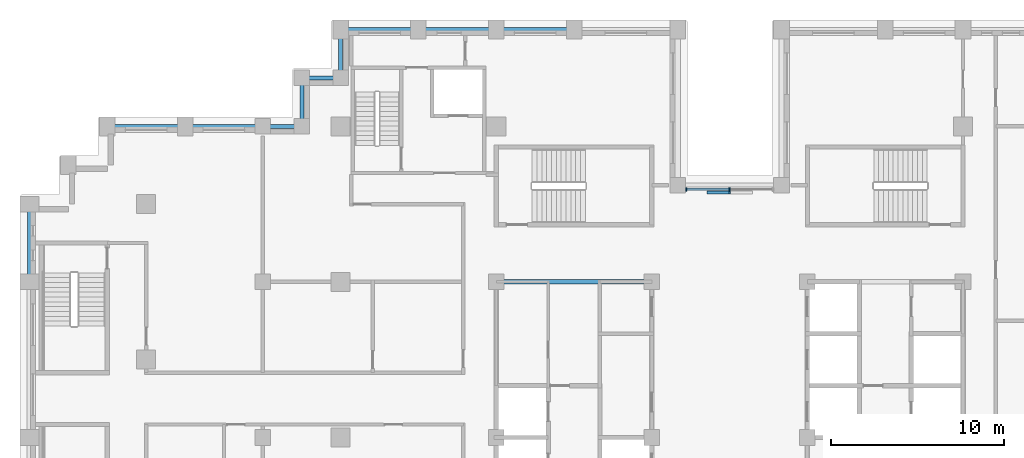
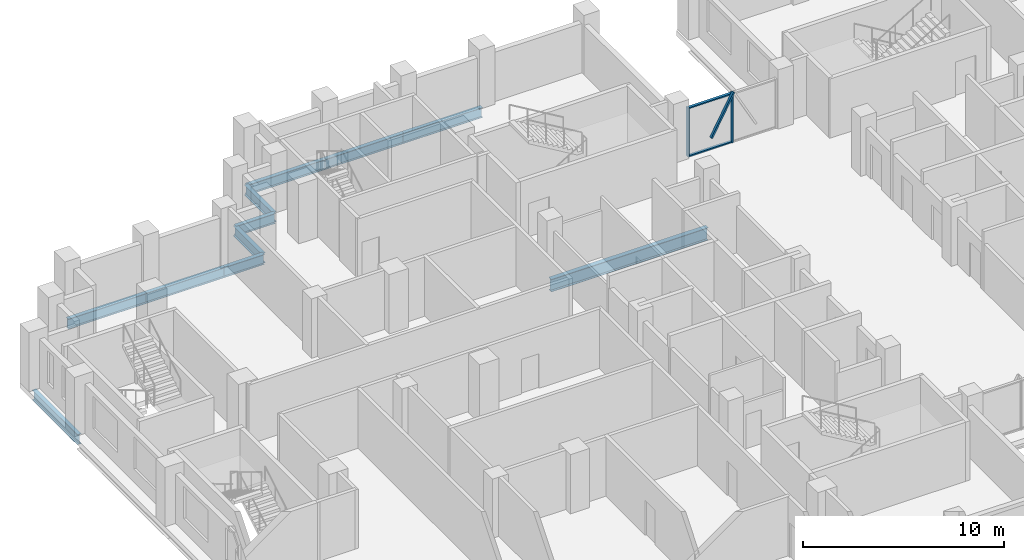
# One storey, part 3 of 16: 11 beams, 5 members, 1 element without a shape of its own.
"""IFC4 building model written with IfcOpenShell, lengths in metres."""

from ifc_helpers import new_model, si_unit, direction, frame, origin, origin_2d, place, context, subcontext, project, spatial, rectangle, i_section, extrude, material, layer, layer_set, material_profile, profile_set, type_object, element, aggregate, save


model = new_model("IFC4")

# Units and contexts
model_context = context("Model", 3, precision=1e-05, world=origin(), true_north=direction((0.0, 1.0)))
body_context = subcontext(model_context, "Body", "Model", "MODEL_VIEW")
ifc_project = project(units=[si_unit("LENGTHUNIT", "METRE"), si_unit("AREAUNIT", "SQUARE_METRE"), si_unit("VOLUMEUNIT", "CUBIC_METRE"), si_unit("PLANEANGLEUNIT", "RADIAN"), si_unit("MASSUNIT", "GRAM", prefix="KILO")], contexts=[model_context])

# Site, building, storey
site_placement = place(None, origin())
site = spatial("IfcSite", under=ifc_project, at=site_placement, CompositionType="ELEMENT")
building_placement = place(site_placement, origin())
building = spatial("IfcBuilding", under=site, at=building_placement, Name="Corbelhall Arena Tower", CompositionType="ELEMENT")
storey_placement = place(building_placement, frame((0.0, 0.0, 174.0)))
storey = spatial("IfcBuildingStorey", under=building, at=storey_placement, Name="L35", CompositionType="ELEMENT", Elevation=174.0)

# Curtain wall, members
ifc_material_1 = material(Name="Aluminium black anodised", Category="aluminium")
ifc_layer = layer(ifc_material_1, 0.199951171875)
ifc_layer_set = layer_set([ifc_layer], Name="EV-CW1 Slot back wall")
curtain_wall_type = type_object("IfcCurtainWallType", Name="EV-CW1 Slot back wall", PredefinedType="NOTDEFINED", material=ifc_layer_set)
curtain_wall_placement = place(storey_placement, origin())
curtain_wall = element("IfcCurtainWall", 1, at=curtain_wall_placement, inside=storey, type_object=curtain_wall_type, Name="Curtain wall CW1", PredefinedType="NOTDEFINED")
ifc_material_profile_1 = material_profile(ifc_material_1, rectangle(XDim=0.199951171875, YDim=0.074951171875, at=origin_2d()))
ifc_profile_set_1 = profile_set([ifc_material_profile_1], Name="Aluminium black anodised")
member_type_1 = type_object("IfcMemberType", Name="EV-CW1-MULLION", PredefinedType="MULLION", material=ifc_profile_set_1)
member_1_placement = place(storey_placement, frame((0.0, 14.35009765625, 0.0), z_axis=(0.0, 0.0, 1.0), x_axis=(0.0, -1.0, 0.0)))
member_1 = element("IfcMember", 2, at=member_1_placement, type_object=member_type_1, Name="CW1 mullion 2", PredefinedType="MULLION", context=body_context, shape_type="SweptSolid", body=[
    extrude(rectangle(XDim=0.199951171875, YDim=0.074951171875, at=origin_2d()), origin(), (0.0, 0.0, 1.0), 2.989990234375),
])
member_2_placement = place(storey_placement, frame((-2.512451171875, 14.35009765625, 0.0), z_axis=(0.0, 0.0, 1.0), x_axis=(0.0, -1.0, 0.0)))
member_2 = element("IfcMember", 3, at=member_2_placement, type_object=member_type_1, Name="CW1 mullion 3", PredefinedType="MULLION", context=body_context, shape_type="SweptSolid", body=[
    extrude(rectangle(XDim=0.199951171875, YDim=0.074951171875, at=origin_2d()), origin(), (0.0, 0.0, 1.0), 2.989990234375),
])
ifc_material_profile_2 = material_profile(ifc_material_1, rectangle(XDim=0.14990234375, YDim=0.074951171875, at=origin_2d()))
ifc_profile_set_2 = profile_set([ifc_material_profile_2], Name="Aluminium black anodised")
member_type_2 = type_object("IfcMemberType", Name="EV-CW1-TRANSOM", PredefinedType="USERDEFINED", material=ifc_profile_set_2)
member_3_placement = place(storey_placement, frame((-0.03759765625, 14.35009765625, 0.03759765625), z_axis=(-1.0, 0.0, 0.0), x_axis=(0.0, -1.0, 0.0)))
member_3 = element("IfcMember", 4, at=member_3_placement, type_object=member_type_2, Name="CW1 transom 2.1", ObjectType="transom", PredefinedType="USERDEFINED", context=body_context, shape_type="SweptSolid", body=[
    extrude(rectangle(XDim=0.14990234375, YDim=0.074951171875, at=origin_2d()), origin(), (0.0, 0.0, 1.0), 2.4375),
])
member_4_placement = place(storey_placement, frame((-0.03759765625, 14.35009765625, 2.952392578125), z_axis=(-1.0, 0.0, 0.0), x_axis=(0.0, -1.0, 0.0)))
member_4 = element("IfcMember", 5, at=member_4_placement, type_object=member_type_2, Name="CW1 transom 2.2", ObjectType="transom", PredefinedType="USERDEFINED", context=body_context, shape_type="SweptSolid", body=[
    extrude(rectangle(XDim=0.14990234375, YDim=0.074951171875, at=origin_2d()), origin(), (0.0, 0.0, 1.0), 2.4375),
])
aggregate(curtain_wall, [member_1, member_2, member_3, member_4])

# Member
ifc_material_profile_3 = material_profile(ifc_material_1, rectangle(XDim=0.159912109375, YDim=0.10009765625, at=origin_2d()))
ifc_profile_set_3 = profile_set([ifc_material_profile_3], Name="Aluminium black anodised")
member_type_3 = type_object("IfcMemberType", Name="EV-TR1 Tracery bar", PredefinedType="USERDEFINED", material=ifc_profile_set_3)
member_5_placement = place(storey_placement, frame((0.0, 14.169921875, 3.14990234375), z_axis=(-0.478030960994, 0.0, -0.878342985588), x_axis=(0.0, -1.0, 0.0)))
element("IfcMember", 6, at=member_5_placement, inside=storey, type_object=member_type_3, Name="Tracery bar", ObjectType="TRACERY", PredefinedType="USERDEFINED", context=body_context, shape_type="SweptSolid", body=[
    extrude(rectangle(XDim=0.159912109375, YDim=0.10009765625, at=origin_2d()), origin(), (0.0, 0.0, 1.0), 2.6669921875),
])

# Beams
ifc_material_2 = material(Name="Steel ASTM A992 Gr50", Category="steel")
ifc_material_profile_4 = material_profile(ifc_material_2, i_section(OverallWidth=0.2666015625, OverallDepth=0.761962890625, WebThickness=0.014404296875, FlangeThickness=0.021484375, at=origin_2d()))
ifc_profile_set_4 = profile_set([ifc_material_profile_4], Name="Steel ASTM A992 Gr50")
beam_type_1 = type_object("IfcBeamType", Name="ST-BEAM-W30x116", PredefinedType="BEAM", material=ifc_profile_set_4)
beam_1_placement = place(storey_placement, frame((-13.5, 9.0, -0.680908203125), z_axis=(1.0, 0.0, 0.0), x_axis=(0.0, 1.0, 0.0)))
element("IfcBeam", 7, at=beam_1_placement, inside=storey, type_object=beam_type_1, Name="Beam CEW 6", PredefinedType="BEAM", context=body_context, shape_type="SweptSolid", body=[
    extrude(i_section(OverallWidth=0.2666015625, OverallDepth=0.761962890625, WebThickness=0.014404296875, FlangeThickness=0.021484375, at=origin_2d()), origin(), (0.0, 0.0, 1.0), 9.0),
])
ifc_material_profile_5 = material_profile(ifc_material_2, i_section(OverallWidth=0.22900390625, OverallDepth=0.612060546875, WebThickness=0.011962890625, FlangeThickness=0.01953125, at=origin_2d()))
ifc_profile_set_5 = profile_set([ifc_material_profile_5], Name="Steel ASTM A992 Gr50")
beam_type_2 = type_object("IfcBeamType", Name="ST-SPANDREL-W24x84", PredefinedType="SPANDREL", material=ifc_profile_set_5)
for number, where, z_axis, x_axis, name in (
    (8, (-40.5, 9.0, -0.60595703125), (0.0, 1.0, 0.0), (-1.0, 0.0, 0.0), "Beam SP 2"),
    (9, (-31.5, 18.0, -0.60595703125), (1.0, 0.0, 0.0), (0.0, 1.0, 0.0), "Beam SP 5"),
    (10, (-36.0, 18.0, -0.60595703125), (1.0, 0.0, 0.0), (0.0, 1.0, 0.0), "Beam SP 6"),
    (11, (-13.5, 23.60009765625, -0.60595703125), (1.0, 0.0, 0.0), (0.0, 1.0, 0.0), "Beam SP 24"),
    (12, (-18.0, 23.60009765625, -0.60595703125), (1.0, 0.0, 0.0), (0.0, 1.0, 0.0), "Beam SP 25"),
    (13, (-22.5, 23.60009765625, -0.60595703125), (1.0, 0.0, 0.0), (0.0, 1.0, 0.0), "Beam SP 26"),
):
    element("IfcBeam", number, at=place(storey_placement, frame(where, z_axis=z_axis, x_axis=x_axis)), inside=storey, type_object=beam_type_2, Name=name, PredefinedType="SPANDREL", context=body_context, shape_type="SweptSolid", body=[
        extrude(i_section(OverallWidth=0.22900390625, OverallDepth=0.612060546875, WebThickness=0.011962890625, FlangeThickness=0.01953125, at=origin_2d()), origin(), (0.0, 0.0, 1.0), 4.5),
    ])
beam_2_placement = place(storey_placement, frame((-27.0, 18.0, -0.60595703125), z_axis=(1.0, 0.0, 0.0), x_axis=(0.0, 1.0, 0.0)))
element("IfcBeam", 14, at=beam_2_placement, inside=storey, type_object=beam_type_2, Name="Beam SP 37", PredefinedType="SPANDREL", context=body_context, shape_type="SweptSolid", body=[
    extrude(i_section(OverallWidth=0.22900390625, OverallDepth=0.612060546875, WebThickness=0.011962890625, FlangeThickness=0.01953125, at=origin_2d()), origin(), (0.0, 0.0, 1.0), 2.25),
])
beam_3_placement = place(storey_placement, frame((-22.5, 20.800048828125, -0.60595703125), z_axis=(0.0, 1.0, 0.0), x_axis=(-1.0, 0.0, 0.0)))
element("IfcBeam", 15, at=beam_3_placement, inside=storey, type_object=beam_type_2, Name="Beam SP 46", PredefinedType="SPANDREL", context=body_context, shape_type="SweptSolid", body=[
    extrude(i_section(OverallWidth=0.22900390625, OverallDepth=0.612060546875, WebThickness=0.011962890625, FlangeThickness=0.01953125, at=origin_2d()), origin(), (0.0, 0.0, 1.0), 2.800048828125),
])
beam_4_placement = place(storey_placement, frame((-24.75, 20.800048828125, -0.60595703125), z_axis=(1.0, 0.0, 0.0), x_axis=(0.0, 1.0, 0.0)))
element("IfcBeam", 16, at=beam_4_placement, inside=storey, type_object=beam_type_2, Name="Beam SP 47", PredefinedType="SPANDREL", context=body_context, shape_type="SweptSolid", body=[
    extrude(i_section(OverallWidth=0.22900390625, OverallDepth=0.612060546875, WebThickness=0.011962890625, FlangeThickness=0.01953125, at=origin_2d()), origin(), (0.0, 0.0, 1.0), 2.25),
])
beam_5_placement = place(storey_placement, frame((-24.75, 18.0, -0.60595703125), z_axis=(0.0, 1.0, 0.0), x_axis=(-1.0, 0.0, 0.0)))
element("IfcBeam", 17, at=beam_5_placement, inside=storey, type_object=beam_type_2, Name="Beam SP 48", PredefinedType="SPANDREL", context=body_context, shape_type="SweptSolid", body=[
    extrude(i_section(OverallWidth=0.22900390625, OverallDepth=0.612060546875, WebThickness=0.011962890625, FlangeThickness=0.01953125, at=origin_2d()), origin(), (0.0, 0.0, 1.0), 2.800048828125),
])

save(model, "model.ifc")
